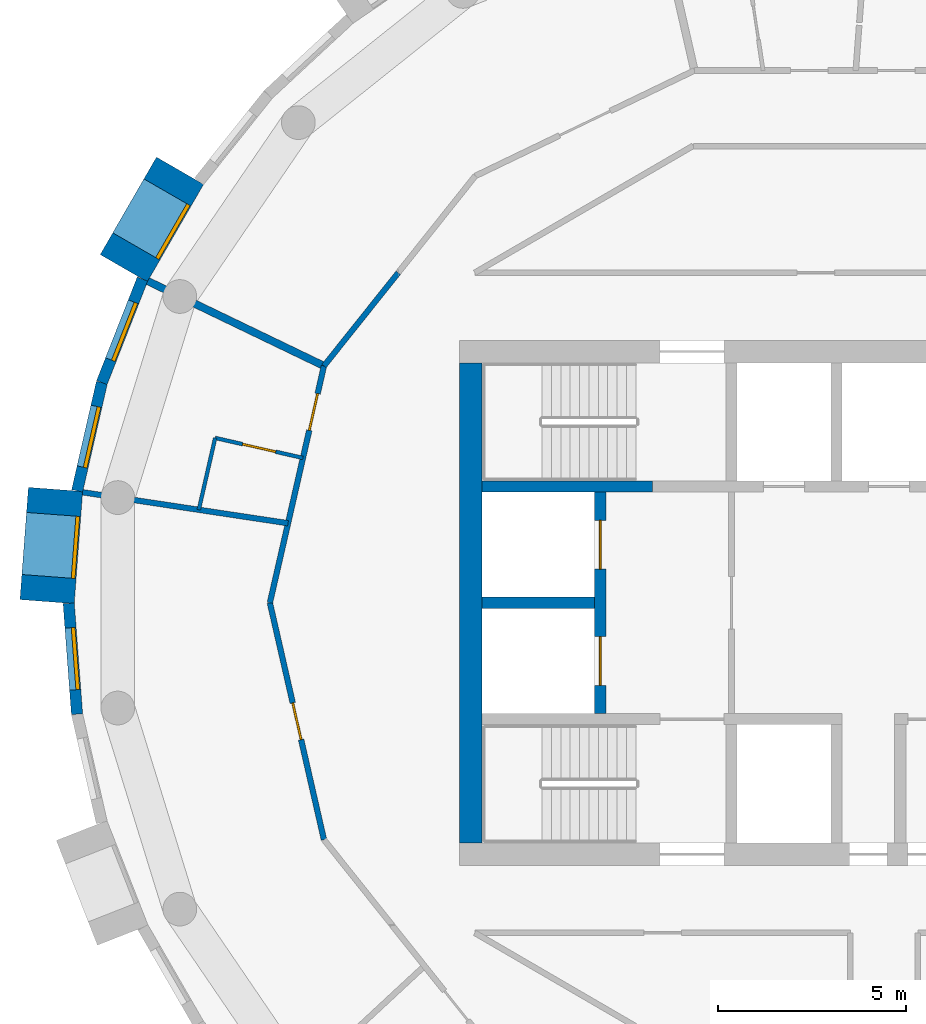
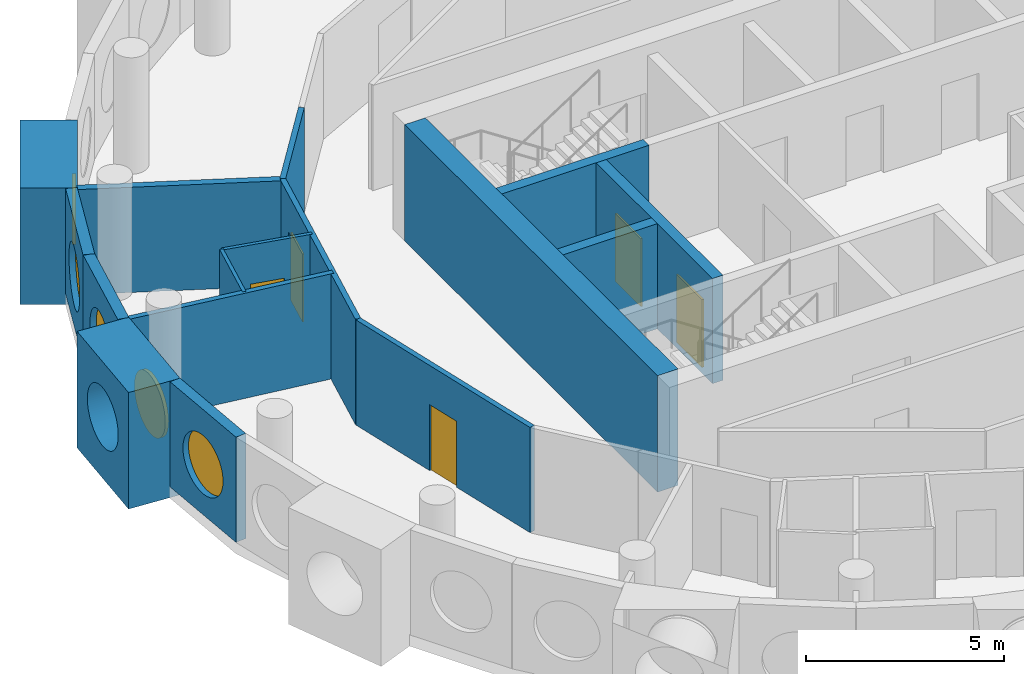
# One storey, part 6 of 13: 16 walls, 5 doors, 5 windows, 10 openings.
"""IFC4 building model written with IfcOpenShell, lengths in metres."""

from ifc_helpers import new_model, si_unit, direction, frame, frame_2d, origin, origin_2d, place, context, subcontext, project, spatial, rectangle, circle, extrude, material, layer, layer_set, type_object, element, fill, save


model = new_model("IFC4")

# Units and contexts
model_context = context("Model", 3, precision=1e-05, world=origin(), true_north=direction((0.0, 1.0)))
body_context = subcontext(model_context, "Body", "Model", "MODEL_VIEW")
ifc_project = project(units=[si_unit("LENGTHUNIT", "METRE"), si_unit("AREAUNIT", "SQUARE_METRE"), si_unit("VOLUMEUNIT", "CUBIC_METRE"), si_unit("PLANEANGLEUNIT", "RADIAN"), si_unit("MASSUNIT", "GRAM", prefix="KILO")], contexts=[model_context])

# Site, building, storey
site_placement = place(None, origin())
site = spatial("IfcSite", under=ifc_project, at=site_placement, CompositionType="ELEMENT")
building_placement = place(site_placement, origin())
building = spatial("IfcBuilding", under=site, at=building_placement, Name="Tracery Tower", CompositionType="ELEMENT")
storey_placement = place(building_placement, frame((0.0, 0.0, 298.199951171875)))
storey = spatial("IfcBuildingStorey", under=building, at=storey_placement, Name="L77", CompositionType="ELEMENT", Elevation=298.199951171875)

# Wall
ifc_material_1 = material(Name="Concrete C40/50", Category="concrete")
ifc_layer_1 = layer(ifc_material_1, 0.60009765625)
ifc_layer_set_1 = layer_set([ifc_layer_1], Name="Core wall 600 C40")
wall_type_1 = type_object("IfcWallType", Name="Core wall 600 C40", PredefinedType="SOLIDWALL", material=ifc_layer_set_1)
wall_1_placement = place(storey_placement, frame((-9.199951171875, -6.39990234375, 0.0), z_axis=(0.0, 0.0, 1.0), x_axis=(0.0, 1.0, 0.0)))
element("IfcWall", 1, at=wall_1_placement, inside=storey, type_object=wall_type_1, Name="L77 outer W", PredefinedType="SOLIDWALL", context=body_context, shape_type="SweptSolid", body=[
    extrude(rectangle(XDim=12.7998046875, YDim=0.60009765625, at=frame_2d((6.39990234375, 0.0))), origin(), (0.0, 0.0, 1.0), 3.60009765625),
])

# Wall, opening, window
ifc_material_2 = material(Name="Precast concrete C50/60", Category="concrete")
ifc_layer_2 = layer(ifc_material_2, 1.449951171875)
ifc_layer_set_2 = layer_set([ifc_layer_2], Name="Deep-set bay unit 3000 x 3600, slab edge 350")
wall_type_2 = type_object("IfcWallType", Name="Deep-set bay unit 3000 x 3600, slab edge 350", PredefinedType="ELEMENTEDWALL", material=ifc_layer_set_2)
wall_2_placement = place(storey_placement, frame((-16.952392578125, 11.51953125, -0.349853515625), z_axis=(0.0, 0.0, 1.0), x_axis=(-0.499990139034, -0.866031096941, 0.0)))
wall_2 = element("IfcWall", 2, at=wall_2_placement, inside=storey, type_object=wall_type_2, Name="Deep-set bay unit 18 at L77", PredefinedType="ELEMENTEDWALL", context=body_context, shape_type="SweptSolid", body=[
    extrude(rectangle(XDim=3.0, YDim=1.449951171875, at=frame_2d((1.5, 0.0))), origin(), (0.0, 0.0, 1.0), 3.599853515625),
])
opening_1_placement = place(wall_2_placement, frame((1.5, 0.0, 1.89990234375)))
opening_1 = element("IfcOpeningElement", 3, at=opening_1_placement, cuts=wall_2, Name="Opening WN1", PredefinedType="OPENING", context=body_context, shape_type="SweptSolid", body=[
    extrude(circle(Radius=0.9000244140625, at=origin_2d()), frame((0.0, 0.73486328125, 0.0), z_axis=(0.0, -1.0, 0.0), x_axis=(1.0, 0.0, 0.0)), (0.0, 0.0, 1.0), 1.469970703125),
])
ifc_material_3 = material(Name="Aluminium frame with tinted double glazing", Category="aluminium")
window_type = type_object("IfcWindowType", Name="Round window 1800", PartitioningType="SINGLE_PANEL", PredefinedType="WINDOW", material=ifc_material_3)
window_1_placement = place(opening_1_placement, origin())
window_1 = element("IfcWindow", 4, at=window_1_placement, inside=storey, type_object=window_type, Name="Round window 18 at L77", OverallHeight=1.800048828125, OverallWidth=1.800048828125, PartitioningType="SINGLE_PANEL", PredefinedType="WINDOW", context=body_context, shape_type="SweptSolid", body=[
    extrude(circle(Radius=0.9000244140625, at=origin_2d()), frame((0.0, 0.69482421875, 0.0), z_axis=(0.0, -1.0, 0.0), x_axis=(1.0, 0.0, 0.0)), (0.0, 0.0, 1.0), 0.10009765625),
])
fill(opening_1, window_1)

wall_3_placement = place(storey_placement, frame((-20.271728515625, 3.0234375, -0.349853515625), z_axis=(0.0, 0.0, 1.0), x_axis=(-0.074785902127, -0.997199613339, 0.0)))
wall_3 = element("IfcWall", 5, at=wall_3_placement, inside=storey, type_object=wall_type_2, Name="Deep-set bay unit 21 at L77", PredefinedType="ELEMENTEDWALL", context=body_context, shape_type="SweptSolid", body=[
    extrude(rectangle(XDim=3.0, YDim=1.449951171875, at=frame_2d((1.5, 0.0))), origin(), (0.0, 0.0, 1.0), 3.599853515625),
])
opening_2_placement = place(wall_3_placement, frame((1.5, 0.0, 1.89990234375)))
opening_2 = element("IfcOpeningElement", 6, at=opening_2_placement, cuts=wall_3, Name="Opening WN1", PredefinedType="OPENING", context=body_context, shape_type="SweptSolid", body=[
    extrude(circle(Radius=0.9000244140625, at=origin_2d()), frame((0.0, 0.73486328125, 0.0), z_axis=(0.0, -1.0, 0.0), x_axis=(1.0, 0.0, 0.0)), (0.0, 0.0, 1.0), 1.469970703125),
])
window_2_placement = place(opening_2_placement, origin())
window_2 = element("IfcWindow", 7, at=window_2_placement, inside=storey, type_object=window_type, Name="Round window 21 at L77", OverallHeight=1.800048828125, OverallWidth=1.800048828125, PartitioningType="SINGLE_PANEL", PredefinedType="WINDOW", context=body_context, shape_type="SweptSolid", body=[
    extrude(circle(Radius=0.9000244140625, at=origin_2d()), frame((0.0, 0.69482421875, 0.0), z_axis=(0.0, -1.0, 0.0), x_axis=(1.0, 0.0, 0.0)), (0.0, 0.0, 1.0), 0.10009765625),
])
fill(opening_2, window_2)

ifc_material_4 = material(Name="Precast concrete C50/60", Category="concrete")
ifc_layer_3 = layer(ifc_material_4, 0.300048828125)
ifc_layer_set_3 = layer_set([ifc_layer_3], Name="Facade panel 3000 x 3250")
wall_type_3 = type_object("IfcWallType", Name="Facade panel 3000 x 3250", PredefinedType="SOLIDWALL", material=ifc_layer_set_3)
wall_4_placement = place(storey_placement, frame((-17.95458984375, 8.62939453125, 0.0), z_axis=(0.0, 0.0, 1.0), x_axis=(-0.36530043032, -0.930889679612, 0.0)))
wall_4 = element("IfcWall", 8, at=wall_4_placement, inside=storey, type_object=wall_type_3, Name="Facade panel 19 at L77", PredefinedType="SOLIDWALL", context=body_context, shape_type="SweptSolid", body=[
    extrude(rectangle(XDim=2.9619140625, YDim=0.300048828125, at=frame_2d((1.48095703125, 0.0))), origin(), (0.0, 0.0, 1.0), 3.25),
])
opening_3_placement = place(wall_4_placement, frame((1.48095703125, 0.0, 1.5498046875)))
opening_3 = element("IfcOpeningElement", 9, at=opening_3_placement, cuts=wall_4, Name="Opening WN1", PredefinedType="OPENING", context=body_context, shape_type="SweptSolid", body=[
    extrude(circle(Radius=0.9000244140625, at=origin_2d()), frame((0.0, 0.159912109375, 0.0), z_axis=(0.0, -1.0, 0.0), x_axis=(1.0, 0.0, 0.0)), (0.0, 0.0, 1.0), 0.320068359375),
])
window_3_placement = place(opening_3_placement, origin())
window_3 = element("IfcWindow", 10, at=window_3_placement, inside=storey, type_object=window_type, Name="Round window 19 at L77", OverallHeight=1.800048828125, OverallWidth=1.800048828125, PartitioningType="SINGLE_PANEL", PredefinedType="WINDOW", context=body_context, shape_type="SweptSolid", body=[
    extrude(circle(Radius=0.9000244140625, at=origin_2d()), frame((0.0, 0.1201171875, 0.0), z_axis=(0.0, -1.0, 0.0), x_axis=(1.0, 0.0, 0.0)), (0.0, 0.0, 1.0), 0.10009765625),
])
fill(opening_3, window_3)

wall_5_placement = place(storey_placement, frame((-19.03662109375, 5.8720703125, 0.0), z_axis=(0.0, 0.0, 1.0), x_axis=(-0.222529389789, -0.974925982155, 0.0)))
wall_5 = element("IfcWall", 11, at=wall_5_placement, inside=storey, type_object=wall_type_3, Name="Facade panel 20 at L77", PredefinedType="SOLIDWALL", context=body_context, shape_type="SweptSolid", body=[
    extrude(rectangle(XDim=2.962158203125, YDim=0.300048828125, at=frame_2d((1.48095703125, 0.0))), origin(), (0.0, 0.0, 1.0), 3.25),
])
opening_4_placement = place(wall_5_placement, frame((1.48095703125, 0.0, 1.5498046875)))
opening_4 = element("IfcOpeningElement", 12, at=opening_4_placement, cuts=wall_5, Name="Opening WN1", PredefinedType="OPENING", context=body_context, shape_type="SweptSolid", body=[
    extrude(circle(Radius=0.9000244140625, at=origin_2d()), frame((0.0, 0.159912109375, 0.0), z_axis=(0.0, -1.0, 0.0), x_axis=(1.0, 0.0, 0.0)), (0.0, 0.0, 1.0), 0.320068359375),
])
window_4_placement = place(opening_4_placement, origin())
window_4 = element("IfcWindow", 13, at=window_4_placement, inside=storey, type_object=window_type, Name="Round window 20 at L77", OverallHeight=1.800048828125, OverallWidth=1.800048828125, PartitioningType="SINGLE_PANEL", PredefinedType="WINDOW", context=body_context, shape_type="SweptSolid", body=[
    extrude(circle(Radius=0.9000244140625, at=origin_2d()), frame((0.0, 0.1201171875, 0.0), z_axis=(0.0, -1.0, 0.0), x_axis=(1.0, 0.0, 0.0)), (0.0, 0.0, 1.0), 0.10009765625),
])
fill(opening_4, window_4)

wall_6_placement = place(storey_placement, frame((-19.920654296875, -0.01513671875, 0.0), z_axis=(0.0, 0.0, 1.0), x_axis=(0.07474897196, -0.997202382263, 0.0)))
wall_6 = element("IfcWall", 14, at=wall_6_placement, inside=storey, type_object=wall_type_3, Name="Facade panel 22 at L77", PredefinedType="SOLIDWALL", context=body_context, shape_type="SweptSolid", body=[
    extrude(rectangle(XDim=2.96240234375, YDim=0.300048828125, at=frame_2d((1.481201171875, 0.0))), origin(), (0.0, 0.0, 1.0), 3.25),
])
opening_5_placement = place(wall_6_placement, frame((1.48095703125, 0.0, 1.5498046875)))
opening_5 = element("IfcOpeningElement", 15, at=opening_5_placement, cuts=wall_6, Name="Opening WN1", PredefinedType="OPENING", context=body_context, shape_type="SweptSolid", body=[
    extrude(circle(Radius=0.9000244140625, at=origin_2d()), frame((0.0, 0.159912109375, 0.0), z_axis=(0.0, -1.0, 0.0), x_axis=(1.0, 0.0, 0.0)), (0.0, 0.0, 1.0), 0.320068359375),
])
window_5_placement = place(opening_5_placement, origin())
window_5 = element("IfcWindow", 16, at=window_5_placement, inside=storey, type_object=window_type, Name="Round window 22 at L77", OverallHeight=1.800048828125, OverallWidth=1.800048828125, PartitioningType="SINGLE_PANEL", PredefinedType="WINDOW", context=body_context, shape_type="SweptSolid", body=[
    extrude(circle(Radius=0.9000244140625, at=origin_2d()), frame((0.0, 0.1201171875, 0.0), z_axis=(0.0, -1.0, 0.0), x_axis=(1.0, 0.0, 0.0)), (0.0, 0.0, 1.0), 0.10009765625),
])
fill(opening_5, window_5)

# Wall, opening, door
ifc_material_5 = material(Name="Plasterboard on steel studs", Category="steel")
ifc_layer_4 = layer(ifc_material_5, 0.10009765625)
ifc_layer_set_4 = layer_set([ifc_layer_4], Name="Partition 100 wet wall")
wall_type_4 = type_object("IfcWallType", Name="Partition 100 wet wall", PredefinedType="PARTITIONING", material=ifc_layer_set_4)
wall_7_placement = place(storey_placement, frame((-16.014892578125, 4.39599609375, 0.0), z_axis=(0.0, 0.0, 1.0), x_axis=(0.97493862442, -0.222473995368, 0.0)))
wall_7 = element("IfcWall", 17, at=wall_7_placement, inside=storey, type_object=wall_type_4, Name="Wet wall RC7-057", PredefinedType="PARTITIONING", context=body_context, shape_type="SweptSolid", body=[
    extrude(rectangle(XDim=2.39990234375, YDim=0.10009765625, at=frame_2d((1.199951171875, 0.0))), origin(), (0.0, 0.0, 1.0), 3.25),
])
opening_6_placement = place(wall_7_placement, frame((0.750244140625, 0.0, 0.0)))
opening_6 = element("IfcOpeningElement", 18, at=opening_6_placement, cuts=wall_7, Name="Opening RC7-12", PredefinedType="OPENING", context=body_context, shape_type="SweptSolid", body=[
    extrude(rectangle(XDim=0.89990234375, YDim=2.0400390625, at=frame_2d((0.449951171875, 1.02001953125))), frame((0.0, 0.050048828125, 0.0), z_axis=(0.0, -1.0, 0.0), x_axis=(1.0, 0.0, 0.0)), (0.0, 0.0, 1.0), 0.10009765625),
])
ifc_material_6 = material(Name="Timber door leaf", Category="wood")
door_type_1 = type_object("IfcDoorType", Name="Door en-suite 900", OperationType="NOTDEFINED", PredefinedType="DOOR", material=ifc_material_6)
door_1_placement = place(opening_6_placement, origin())
door_1 = element("IfcDoor", 19, at=door_1_placement, inside=storey, type_object=door_type_1, Name="En-suite door RC7-12", OperationType="SINGLE_SWING_LEFT", OverallHeight=2.0400390625, OverallWidth=0.89990234375, PredefinedType="DOOR", context=body_context, shape_type="SweptSolid", body=[
    extrude(rectangle(XDim=0.89990234375, YDim=2.0400390625, at=frame_2d((0.449951171875, 1.02001953125))), frame((0.0, 0.02490234375, 0.0), z_axis=(0.0, -1.0, 0.0), x_axis=(1.0, 0.0, 0.0)), (0.0, 0.0, 1.0), 0.050048828125),
])
fill(opening_6, door_1)

# Walls
wall_8_placement = place(storey_placement, frame((-16.451904296875, 2.47998046875, 0.0), z_axis=(0.0, 0.0, 1.0), x_axis=(0.22237276708, 0.974961718459, 0.0)))
element("IfcWall", 20, at=wall_8_placement, inside=storey, type_object=wall_type_4, Name="Wet wall RC7-058", PredefinedType="PARTITIONING", context=body_context, shape_type="SweptSolid", body=[
    extrude(rectangle(XDim=1.96533203125, YDim=0.10009765625, at=frame_2d((0.982666015625, 0.0))), origin(), (0.0, 0.0, 1.0), 3.25),
])
ifc_material_7 = material(Name="Plasterboard on steel studs", Category="steel")
ifc_layer_5 = layer(ifc_material_7, 0.14990234375)
ifc_layer_set_5 = layer_set([ifc_layer_5], Name="Partition 150 acoustic unit wall")
wall_type_5 = type_object("IfcWallType", Name="Partition 150 acoustic unit wall", PredefinedType="PARTITIONING", material=ifc_layer_set_5)
wall_9_placement = place(storey_placement, frame((-19.551025390625, 2.947021484375, 0.0), z_axis=(0.0, 0.0, 1.0), x_axis=(0.988837218495, -0.148999850064, 0.0)))
element("IfcWall", 21, at=wall_9_placement, inside=storey, type_object=wall_type_5, Name="Unit wall RC7-059", PredefinedType="PARTITIONING", context=body_context, shape_type="SweptSolid", body=[
    extrude(rectangle(XDim=5.539794921875, YDim=0.14990234375, at=frame_2d((2.77001953125, 0.0))), origin(), (0.0, 0.0, 1.0), 3.25),
])
ifc_material_8 = material(Name="Plasterboard on steel studs", Category="steel")
ifc_layer_6 = layer(ifc_material_8, 0.14990234375)
ifc_layer_set_6 = layer_set([ifc_layer_6], Name="Partition 150 corridor wall")
wall_type_6 = type_object("IfcWallType", Name="Partition 150 corridor wall", PredefinedType="PARTITIONING", material=ifc_layer_set_6)
wall_10_placement = place(storey_placement, frame((-13.114990234375, 6.31591796875, 0.0), z_axis=(0.0, 0.0, 1.0), x_axis=(0.623476099415, 0.781842409606, 0.0)))
element("IfcWall", 22, at=wall_10_placement, inside=storey, type_object=wall_type_6, Name="Corridor wall RC7-030", PredefinedType="PARTITIONING", context=body_context, shape_type="SweptSolid", body=[
    extrude(rectangle(XDim=3.17724609375, YDim=0.14990234375, at=frame_2d((1.588623046875, 0.0))), origin(), (0.0, 0.0, 1.0), 3.25),
])

# Wall, opening, door
wall_11_placement = place(storey_placement, frame((-14.556640625, 0.0, 0.0), z_axis=(0.0, 0.0, 1.0), x_axis=(0.222533159771, 0.974925121639, 0.0)))
wall_11 = element("IfcWall", 23, at=wall_11_placement, inside=storey, type_object=wall_type_6, Name="Corridor wall RC7-031", PredefinedType="PARTITIONING", context=body_context, shape_type="SweptSolid", body=[
    extrude(rectangle(XDim=6.478271484375, YDim=0.14990234375, at=frame_2d((3.2392578125, 0.0))), origin(), (0.0, 0.0, 1.0), 3.25),
])
opening_7_placement = place(wall_11_placement, frame((4.71826171875, 0.0, 0.0)))
opening_7 = element("IfcOpeningElement", 24, at=opening_7_placement, cuts=wall_11, Name="Opening RC7-13", PredefinedType="OPENING", context=body_context, shape_type="SweptSolid", body=[
    extrude(rectangle(XDim=1.0, YDim=2.10009765625, at=frame_2d((0.5, 1.050048828125))), frame((0.0, 0.074951171875, 0.0), z_axis=(0.0, -1.0, 0.0), x_axis=(1.0, 0.0, 0.0)), (0.0, 0.0, 1.0), 0.14990234375),
])
ifc_material_9 = material(Name="Timber door leaf", Category="wood")
door_type_2 = type_object("IfcDoorType", Name="Door unit entrance 1000", OperationType="NOTDEFINED", PredefinedType="DOOR", material=ifc_material_9)
door_2_placement = place(opening_7_placement, origin())
door_2 = element("IfcDoor", 25, at=door_2_placement, inside=storey, type_object=door_type_2, Name="Unit entrance door RC7-13", OperationType="SINGLE_SWING_RIGHT", OverallHeight=2.10009765625, OverallWidth=1.0, PredefinedType="DOOR", context=body_context, shape_type="SweptSolid", body=[
    extrude(rectangle(XDim=1.0, YDim=2.10009765625, at=frame_2d((0.5, 1.050048828125))), frame((0.0, 0.02490234375, 0.0), z_axis=(0.0, -1.0, 0.0), x_axis=(1.0, 0.0, 0.0)), (0.0, 0.0, 1.0), 0.050048828125),
])
fill(opening_7, door_2)

wall_12_placement = place(storey_placement, frame((-14.556884765625, 0.0, 0.0), z_axis=(0.0, 0.0, 1.0), x_axis=(0.222568978642, -0.97491694505, 0.0)))
wall_12 = element("IfcWall", 26, at=wall_12_placement, inside=storey, type_object=wall_type_6, Name="Corridor wall RC7-033", PredefinedType="PARTITIONING", context=body_context, shape_type="SweptSolid", body=[
    extrude(rectangle(XDim=6.478515625, YDim=0.14990234375, at=frame_2d((3.2392578125, 0.0))), origin(), (0.0, 0.0, 1.0), 3.25),
])
opening_8_placement = place(wall_12_placement, frame((2.739501953125, 0.0, 0.0)))
opening_8 = element("IfcOpeningElement", 27, at=opening_8_placement, cuts=wall_12, Name="Opening RC7-14", PredefinedType="OPENING", context=body_context, shape_type="SweptSolid", body=[
    extrude(rectangle(XDim=1.0, YDim=2.0400390625, at=frame_2d((0.5, 1.02001953125))), frame((0.0, 0.074951171875, 0.0), z_axis=(0.0, -1.0, 0.0), x_axis=(1.0, 0.0, 0.0)), (0.0, 0.0, 1.0), 0.14990234375),
])
ifc_material_10 = material(Name="Timber door leaf", Category="wood")
door_type_3 = type_object("IfcDoorType", Name="Door communal room 1000", OperationType="NOTDEFINED", PredefinedType="DOOR", material=ifc_material_10)
door_3_placement = place(opening_8_placement, origin())
door_3 = element("IfcDoor", 28, at=door_3_placement, inside=storey, type_object=door_type_3, Name="Communal room door RC7-14", OperationType="SINGLE_SWING_LEFT", OverallHeight=2.0400390625, OverallWidth=1.0, PredefinedType="DOOR", context=body_context, shape_type="SweptSolid", body=[
    extrude(rectangle(XDim=1.0, YDim=2.0400390625, at=frame_2d((0.5, 1.02001953125))), frame((0.0, 0.02490234375, 0.0), z_axis=(0.0, -1.0, 0.0), x_axis=(1.0, 0.0, 0.0)), (0.0, 0.0, 1.0), 0.050048828125),
])
fill(opening_8, door_3)

# Walls
ifc_material_11 = material(Name="Plasterboard on steel studs", Category="steel")
ifc_layer_7 = layer(ifc_material_11, 0.199951171875)
ifc_layer_set_7 = layer_set([ifc_layer_7], Name="Partition 200 compartment wall")
wall_type_7 = type_object("IfcWallType", Name="Partition 200 compartment wall", PredefinedType="PARTITIONING", material=ifc_layer_set_7)
wall_13_placement = place(storey_placement, frame((-17.81298828125, 8.577880859375, 0.0), z_axis=(0.0, 0.0, 1.0), x_axis=(0.901022681876, -0.433771975518, 0.0)))
element("IfcWall", 29, at=wall_13_placement, inside=storey, type_object=wall_type_7, Name="Compartment wall RC7-056", PredefinedType="PARTITIONING", context=body_context, shape_type="SweptSolid", body=[
    extrude(rectangle(XDim=5.214111328125, YDim=0.199951171875, at=frame_2d((2.60693359375, 0.0))), origin(), (0.0, 0.0, 1.0), 3.25),
])
ifc_material_12 = material(Name="Concrete C40/50", Category="concrete")
ifc_layer_8 = layer(ifc_material_12, 0.300048828125)
ifc_layer_set_8 = layer_set([ifc_layer_8], Name="Shaft wall 300 C40")
wall_type_8 = type_object("IfcWallType", Name="Shaft wall 300 C40", PredefinedType="SOLIDWALL", material=ifc_layer_set_8)
wall_14_placement = place(storey_placement, frame((-8.89990234375, 0.0, 0.0), z_axis=(0.0, 0.0, 1.0), x_axis=(1.0, 0.0, 0.0)))
element("IfcWall", 30, at=wall_14_placement, inside=storey, type_object=wall_type_8, Name="L77 FF split", PredefinedType="SOLIDWALL", context=body_context, shape_type="SweptSolid", body=[
    extrude(rectangle(XDim=3.0, YDim=0.300048828125, at=frame_2d((1.5, 0.0))), origin(), (0.0, 0.0, 1.0), 3.25),
])

# Wall, openings, doors
wall_15_placement = place(storey_placement, frame((-5.75, -2.949951171875, 0.0), z_axis=(0.0, 0.0, 1.0), x_axis=(0.0, 1.0, 0.0)))
wall_15 = element("IfcWall", 31, at=wall_15_placement, inside=storey, type_object=wall_type_8, Name="L77 FF doors", PredefinedType="SOLIDWALL", context=body_context, shape_type="SweptSolid", body=[
    extrude(rectangle(XDim=5.89990234375, YDim=0.300048828125, at=frame_2d((2.949951171875, 0.0))), origin(), (0.0, 0.0, 1.0), 3.25),
])
opening_9_placement = place(wall_15_placement, frame((0.75, 0.0, 0.0)))
opening_9 = element("IfcOpeningElement", 32, at=opening_9_placement, cuts=wall_15, Name="Opening KD54", PredefinedType="OPENING", context=body_context, shape_type="SweptSolid", body=[
    extrude(rectangle(XDim=1.300048828125, YDim=2.10009765625, at=frame_2d((0.64990234375, 1.050048828125))), frame((0.0, 0.14990234375, 0.0), z_axis=(0.0, -1.0, 0.0), x_axis=(1.0, 0.0, 0.0)), (0.0, 0.0, 1.0), 0.300048828125),
])
opening_10_placement = place(wall_15_placement, frame((3.85009765625, 0.0, 0.0)))
opening_10 = element("IfcOpeningElement", 33, at=opening_10_placement, cuts=wall_15, Name="Opening KD55", PredefinedType="OPENING", context=body_context, shape_type="SweptSolid", body=[
    extrude(rectangle(XDim=1.300048828125, YDim=2.10009765625, at=frame_2d((0.64990234375, 1.050048828125))), frame((0.0, 0.14990234375, 0.0), z_axis=(0.0, -1.0, 0.0), x_axis=(1.0, 0.0, 0.0)), (0.0, 0.0, 1.0), 0.300048828125),
])
ifc_material_13 = material(Name="Steel fire door", Category="steel")
door_type_4 = type_object("IfcDoorType", Name="Landing door FF 1300", OperationType="NOTDEFINED", PredefinedType="DOOR", material=ifc_material_13)
door_4_placement = place(opening_9_placement, origin())
door_4 = element("IfcDoor", 34, at=door_4_placement, inside=storey, type_object=door_type_4, Name="Landing door FF1", OperationType="SLIDING_TO_LEFT", OverallHeight=2.10009765625, OverallWidth=1.300048828125, PredefinedType="DOOR", context=body_context, shape_type="SweptSolid", body=[
    extrude(rectangle(XDim=1.300048828125, YDim=2.10009765625, at=frame_2d((0.64990234375, 1.050048828125))), frame((0.0, 0.02490234375, 0.0), z_axis=(0.0, -1.0, 0.0), x_axis=(1.0, 0.0, 0.0)), (0.0, 0.0, 1.0), 0.050048828125),
])
fill(opening_9, door_4)
door_5_placement = place(opening_10_placement, origin())
door_5 = element("IfcDoor", 35, at=door_5_placement, inside=storey, type_object=door_type_4, Name="Landing door FF2", OperationType="SLIDING_TO_RIGHT", OverallHeight=2.10009765625, OverallWidth=1.300048828125, PredefinedType="DOOR", context=body_context, shape_type="SweptSolid", body=[
    extrude(rectangle(XDim=1.300048828125, YDim=2.10009765625, at=frame_2d((0.64990234375, 1.050048828125))), frame((0.0, 0.02490234375, 0.0), z_axis=(0.0, -1.0, 0.0), x_axis=(1.0, 0.0, 0.0)), (0.0, 0.0, 1.0), 0.050048828125),
])
fill(opening_10, door_5)

# Wall
ifc_material_14 = material(Name="Concrete C40/50", Category="concrete")
ifc_layer_9 = layer(ifc_material_14, 0.300048828125)
ifc_layer_set_9 = layer_set([ifc_layer_9], Name="Stair wall 300 C40")
wall_type_9 = type_object("IfcWallType", Name="Stair wall 300 C40", PredefinedType="SOLIDWALL", material=ifc_layer_set_9)
wall_16_placement = place(storey_placement, frame((-8.89990234375, 3.10009765625, 0.0), z_axis=(0.0, 0.0, 1.0), x_axis=(1.0, 0.0, 0.0)))
element("IfcWall", 36, at=wall_16_placement, inside=storey, type_object=wall_type_9, Name="L77 row N W", PredefinedType="SOLIDWALL", context=body_context, shape_type="SweptSolid", body=[
    extrude(rectangle(XDim=4.5498046875, YDim=0.300048828125, at=frame_2d((2.27490234375, 0.0))), origin(), (0.0, 0.0, 1.0), 3.25),
])

save(model, "model.ifc")
